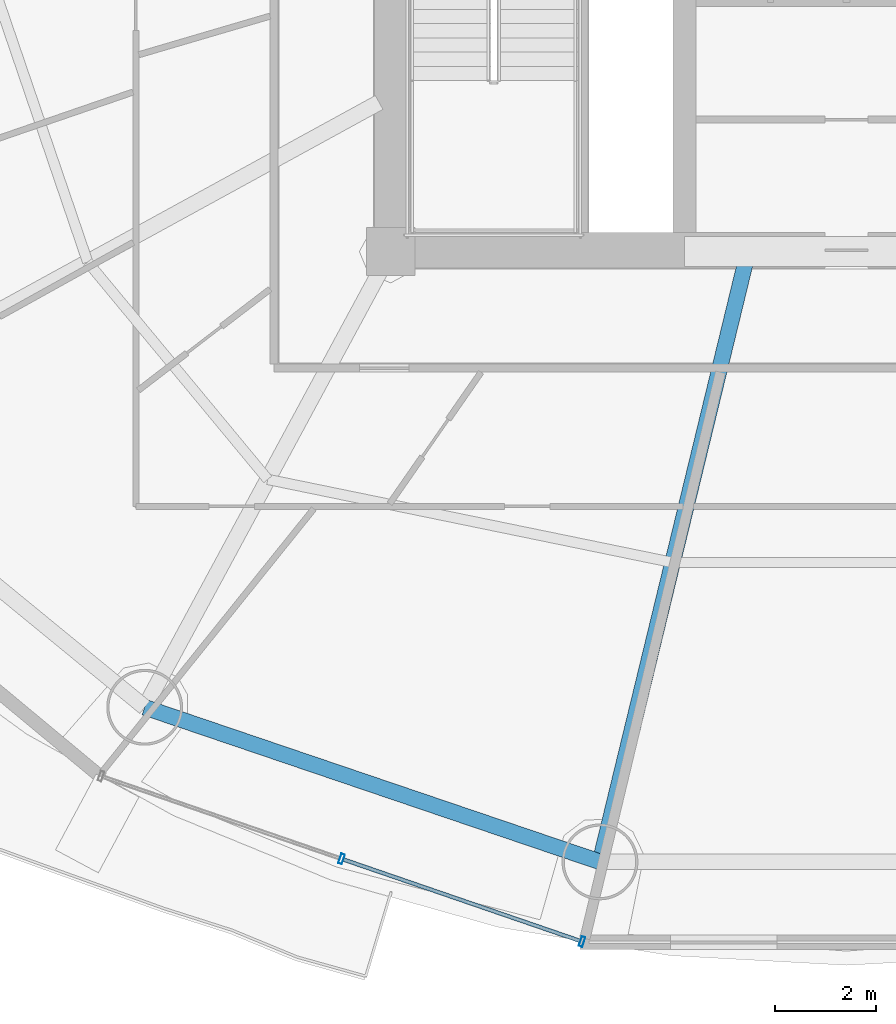
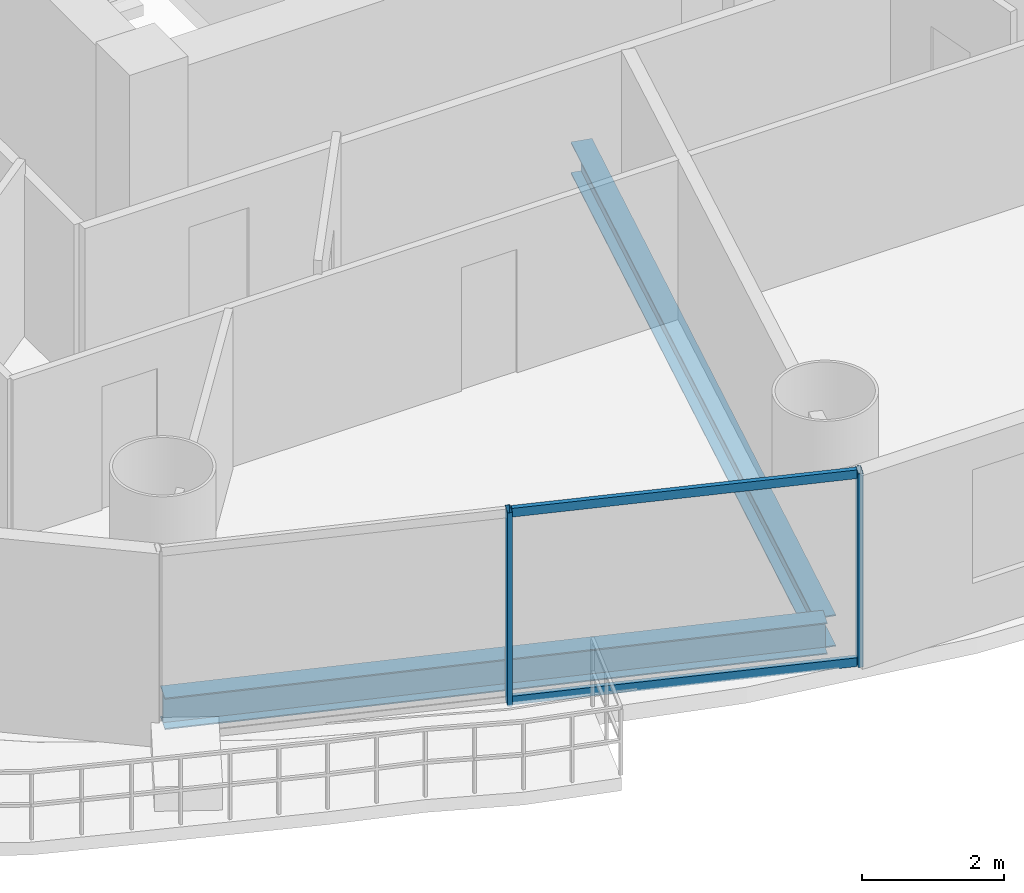
# One storey, part 4 of 29: 4 members, 2 beams, 1 element without a shape of its own.
"""IFC4 building model written with IfcOpenShell, lengths in metres."""

from ifc_helpers import new_model, si_unit, direction, frame, origin, origin_2d, place, context, subcontext, project, spatial, hollow_rectangle, i_section, extrude, source, transform, mapped, material, material_profile, profile_set, type_object, element, aggregate, save


model = new_model("IFC4")

# Units and contexts
model_context = context("Model", 3, precision=1e-05, world=origin(), true_north=direction((-0.2419218956, 0.970295726276)))
body_context = subcontext(model_context, "Body", "Model", "MODEL_VIEW")
ifc_project = project(units=[si_unit("LENGTHUNIT", "METRE"), si_unit("AREAUNIT", "SQUARE_METRE"), si_unit("VOLUMEUNIT", "CUBIC_METRE"), si_unit("PLANEANGLEUNIT", "RADIAN"), si_unit("MASSUNIT", "GRAM", prefix="KILO")], contexts=[model_context])

# Site, building, storey
site_placement = place(None, origin())
site = spatial("IfcSite", under=ifc_project, at=site_placement, CompositionType="ELEMENT")
building_placement = place(site_placement, origin())
building = spatial("IfcBuilding", under=site, at=building_placement, Name="Cobrevalo Terracotta Tower", CompositionType="ELEMENT")
storey_placement = place(building_placement, frame((0.0, 0.0, 94.199951171875)))
storey = spatial("IfcBuildingStorey", under=building, at=storey_placement, Name="L24", CompositionType="ELEMENT", Elevation=94.199951171875)

# Beams
ifc_material_1 = material(Name="Steel S355", Category="steel")
ifc_material_profile_1 = material_profile(ifc_material_1, i_section(OverallWidth=0.31201171875, OverallDepth=0.54296875, WebThickness=0.0126953125, FlangeThickness=0.020263671875, at=origin_2d()), Name="W 530x150")
ifc_profile_set_1 = profile_set([ifc_material_profile_1], Name="Steel S355")
beam_type_1 = type_object("IfcBeamType", Name="Structural Beam W 530x150 (Steel S355)", PredefinedType="BEAM", material=ifc_profile_set_1)
beam_1_placement = place(storey_placement, frame((33.132568359375, 6.742919921875, -0.54638671875), z_axis=(0.235827379387, 0.971794961467, 0.0), x_axis=(-0.971794961467, 0.235827379387, 0.0)))
element("IfcBeam", 1, at=beam_1_placement, inside=storey, type_object=beam_type_1, Name="L24 radial floor girder 12", PredefinedType="BEAM", context=body_context, shape_type="SweptSolid", body=[
    extrude(i_section(OverallWidth=0.31201171875, OverallDepth=0.54296875, WebThickness=0.0126953125, FlangeThickness=0.020263671875, at=origin_2d()), origin(), (0.0, 0.0, 1.0), 12.17041015625),
])
ifc_material_profile_2 = material_profile(ifc_material_1, i_section(OverallWidth=0.31201171875, OverallDepth=0.54296875, WebThickness=0.0126953125, FlangeThickness=0.020263671875, at=origin_2d()), Name="W 530x150")
ifc_profile_set_2 = profile_set([ifc_material_profile_2], Name="Steel S355")
beam_type_2 = type_object("IfcBeamType", Name="Structural Spandrel W 530x150 (Steel S355)", PredefinedType="SPANDREL", material=ifc_profile_set_2)
beam_2_placement = place(storey_placement, frame((24.138427734375, 9.79638671875, -0.54638671875), z_axis=(0.94691835344, -0.321474154356, 0.0), x_axis=(0.321474154356, 0.94691835344, 0.0)))
element("IfcBeam", 2, at=beam_2_placement, inside=storey, type_object=beam_type_2, Name="L24 perimeter ring spandrel 11", PredefinedType="SPANDREL", context=body_context, shape_type="SweptSolid", body=[
    extrude(i_section(OverallWidth=0.31201171875, OverallDepth=0.54296875, WebThickness=0.0126953125, FlangeThickness=0.020263671875, at=origin_2d()), origin(), (0.0, 0.0, 1.0), 9.498291015625),
])

# Curtain wall, members
ifc_material_2 = material(Name="Anodized aluminium", Category="aluminium")
curtain_wall_type = type_object("IfcCurtainWallType", Name="Lower-tower unitised acoustic low-E curtain wall CW-U1", PredefinedType="NOTDEFINED", material=ifc_material_2)
curtain_wall_placement = place(storey_placement, origin())
curtain_wall = element("IfcCurtainWall", 3, at=curtain_wall_placement, inside=storey, type_object=curtain_wall_type, Name="L24 curtain wall CW-L24-S11", PredefinedType="NOTDEFINED")
ifc_material_profile_3 = material_profile(ifc_material_2, hollow_rectangle(XDim=0.074951171875, YDim=0.199951171875, WallThickness=0.0048828125, at=origin_2d()), Name="CWM 75x200")
ifc_profile_set_3 = profile_set([ifc_material_profile_3], Name="Anodized aluminium")
member_type_1 = type_object("IfcMemberType", Name="Lower/mid tower unitised mullion 75x200", PredefinedType="MULLION", material=ifc_profile_set_3)
shared_shape_1 = source(origin(), body_context, "Body", "SweptSolid", [
    extrude(hollow_rectangle(XDim=0.074951171875, YDim=0.199951171875, WallThickness=0.0048828125, at=origin_2d()), origin(), (0.0, 0.0, 1.0), 3.324951171875),
])
member_1_placement = place(storey_placement, frame((28.027587890625, 6.8017578125, 0.0), z_axis=(0.0, 0.0, 1.0), x_axis=(0.94559809868, -0.325337110968, 0.0)))
member_1 = element("IfcMember", 4, at=member_1_placement, type_object=member_type_1, Name="CW-L24-S11 vertical mullion 02", PredefinedType="MULLION", context=body_context, shape_type="MappedRepresentation", body=[
    mapped(shared_shape_1, transform((0.0, 0.0, 0.0), scale=1.0)),
])
member_2_placement = place(storey_placement, frame((32.778564453125, 5.1669921875, 0.0), z_axis=(0.0, 0.0, 1.0), x_axis=(0.94559809868, -0.325337110968, 0.0)))
member_2 = element("IfcMember", 5, at=member_2_placement, type_object=member_type_1, Name="CW-L24-S11 vertical mullion 03", PredefinedType="MULLION", context=body_context, shape_type="MappedRepresentation", body=[
    mapped(shared_shape_1, transform((0.0, 0.0, 0.0), scale=1.0)),
])
ifc_material_profile_4 = material_profile(ifc_material_2, hollow_rectangle(XDim=0.074951171875, YDim=0.14990234375, WallThickness=0.00439453125, at=origin_2d()), Name="CWT 75x150")
ifc_profile_set_4 = profile_set([ifc_material_profile_4], Name="Anodized aluminium")
member_type_2 = type_object("IfcMemberType", Name="Tower unitised aluminium transom 75x150", PredefinedType="USERDEFINED", material=ifc_profile_set_4)
shared_shape_2 = source(origin(), body_context, "Body", "SweptSolid", [
    extrude(hollow_rectangle(XDim=0.074951171875, YDim=0.14990234375, WallThickness=0.00439453125, at=origin_2d()), origin(), (0.0, 0.0, 1.0), 4.944580078125),
])
member_3_placement = place(storey_placement, frame((28.065185546875, 6.788818359375, 0.050048828125), z_axis=(0.945597859971, -0.32533780478, 0.0), x_axis=(0.32533780478, 0.945597859971, 0.0)))
member_3 = element("IfcMember", 6, at=member_3_placement, type_object=member_type_2, Name="CW-L24-S11 transom B02-T1", ObjectType="TRANSOM", PredefinedType="USERDEFINED", context=body_context, shape_type="MappedRepresentation", body=[
    mapped(shared_shape_2, transform((0.0, 0.0, 0.0), scale=1.0)),
])
member_4_placement = place(storey_placement, frame((28.065185546875, 6.788818359375, 3.275146484375), z_axis=(0.945597859971, -0.32533780478, 0.0), x_axis=(0.32533780478, 0.945597859971, 0.0)))
member_4 = element("IfcMember", 7, at=member_4_placement, type_object=member_type_2, Name="CW-L24-S11 transom B02-T2", ObjectType="TRANSOM", PredefinedType="USERDEFINED", context=body_context, shape_type="MappedRepresentation", body=[
    mapped(shared_shape_2, transform((0.0, 0.0, 0.0), scale=1.0)),
])
aggregate(curtain_wall, [member_1, member_2, member_3, member_4])

save(model, "model.ifc")
